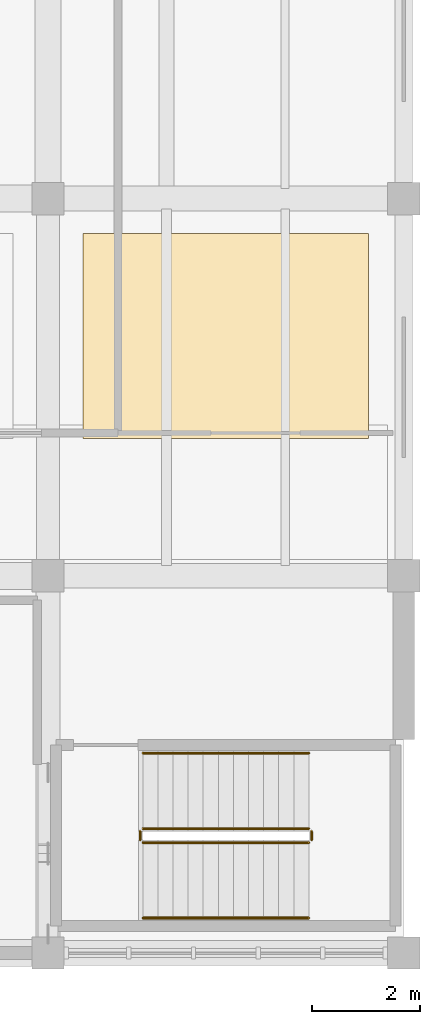
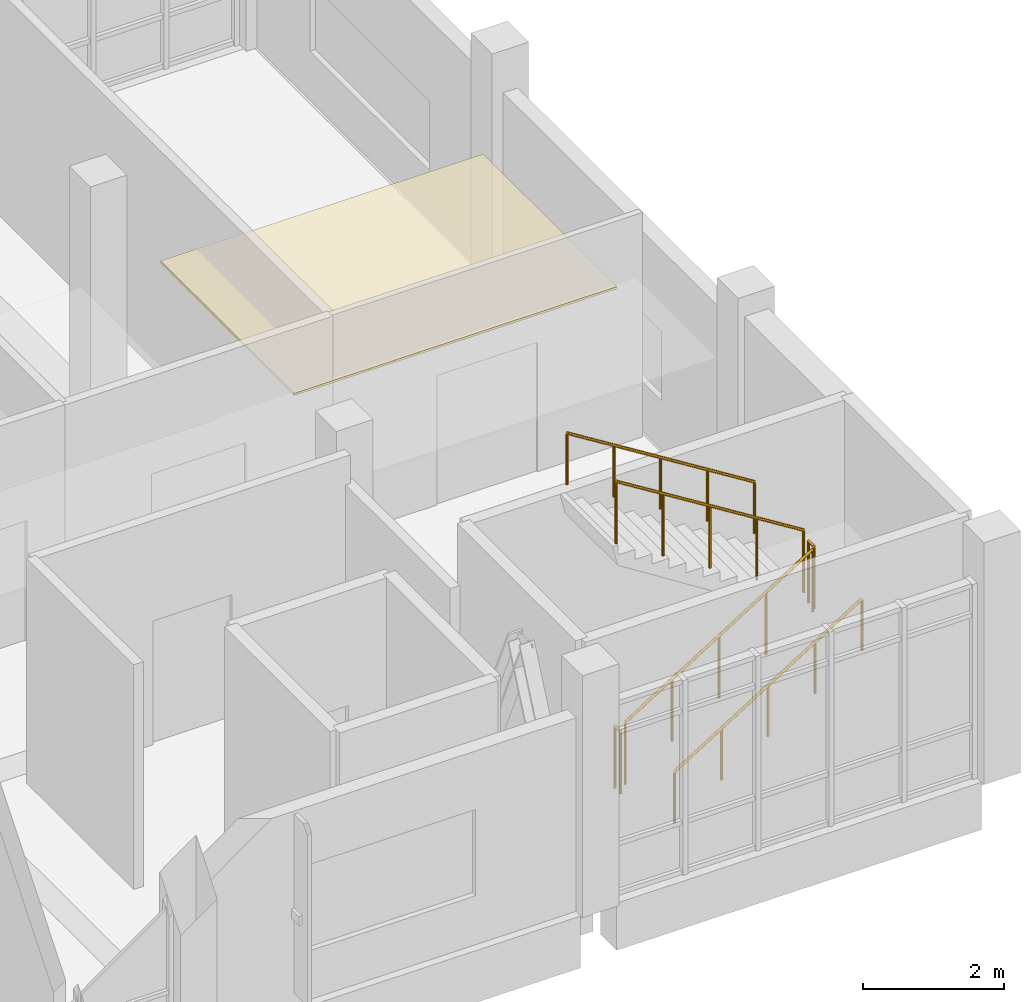
# One storey, part 14 of 14: 6 railings, 1 covering.
"""IFC4 building model written with IfcOpenShell, lengths in metres."""

from ifc_helpers import new_model, si_unit, direction, frame, origin, origin_2d, place, context, subcontext, project, spatial, polyline, circle, outline, extrude, material, layer, layer_set, type_object, element, save


model = new_model("IFC4")

# Units and contexts
model_context = context("Model", 3, precision=1e-05, world=origin(), true_north=direction((0.0, 1.0)))
body_context = subcontext(model_context, "Body", "Model", "MODEL_VIEW")
ifc_project = project(units=[si_unit("LENGTHUNIT", "METRE"), si_unit("AREAUNIT", "SQUARE_METRE"), si_unit("VOLUMEUNIT", "CUBIC_METRE"), si_unit("PLANEANGLEUNIT", "RADIAN"), si_unit("MASSUNIT", "GRAM", prefix="KILO")], contexts=[model_context])

# Site, building, storey
site_placement = place(None, origin())
site = spatial("IfcSite", under=ifc_project, at=site_placement, CompositionType="ELEMENT")
building_placement = place(site_placement, origin())
building = spatial("IfcBuilding", under=site, at=building_placement, Name="Ciguamira Faculty of Natural Sciences", CompositionType="ELEMENT")
storey_placement = place(building_placement, frame((0.0, 0.0, 33.60009765625)))
storey = spatial("IfcBuildingStorey", under=building, at=storey_placement, Name="L08", CompositionType="ELEMENT", Elevation=33.60009765625)

# Covering
ifc_material_1 = material(Name="Perforated white acoustic ceiling")
ifc_layer = layer(ifc_material_1, 0.0400390625, Name="Perforated white acoustic ceiling")
ifc_layer_set = layer_set([ifc_layer], Name="Perforated white acoustic ceiling")
covering_type = type_object("IfcCoveringType", Name="AcousticCeiling_AC01", PredefinedType="CEILING", material=ifc_layer_set)
covering_placement = place(storey_placement, frame((0.0, 0.0, 2.760009765625)))
element("IfcCovering", 1, at=covering_placement, inside=storey, type_object=covering_type, Name="L08 research bay 05 acoustic ceiling", PredefinedType="CEILING", context=body_context, shape_type="SweptSolid", body=[
    extrude(outline(polyline([(97.550048828125, 103.550048828125), (102.85009765625, 103.550048828125), (102.85009765625, 107.35009765625), (97.550048828125, 107.35009765625), (97.550048828125, 103.550048828125)])), origin(), (0.0, 0.0, 1.0), 0.039794921875),
])

# Railings
ifc_material_2 = material(Name="Stainless steel balustrade", Category="steel")
railing_type_1 = type_object("IfcRailingType", Name="Guardrail_GR01", PredefinedType="GUARDRAIL", material=ifc_material_2)
railing_1_placement = place(storey_placement, frame((98.659912109375, 96.050048828125, 0.1748046875)))
element("IfcRailing", 2, at=railing_1_placement, inside=storey, type_object=railing_type_1, Name="L08 ST-T2 stair guard 1", PredefinedType="GUARDRAIL", context=body_context, shape_type="SweptSolid", body=[
    extrude(circle(Radius=0.02392578125, at=origin_2d()), frame((0.0, 0.0, 1.076171875), z_axis=(0.847998304005, 0.0, 0.529998940003), x_axis=(0.0, 1.0, 0.0)), (0.0, 0.0, 1.0), 3.632080078125),
    extrude(circle(Radius=0.02099609375, at=origin_2d()), origin(), (0.0, 0.0, 1.0), 1.052001953125),
    extrude(circle(Radius=0.02099609375, at=origin_2d()), frame((0.77001953125, 0.0, 0.481201171875)), (0.0, 0.0, 1.0), 1.052001953125),
    extrude(circle(Radius=0.02099609375, at=origin_2d()), frame((1.5400390625, 0.0, 0.96240234375)), (0.0, 0.0, 1.0), 1.052001953125),
    extrude(circle(Radius=0.02099609375, at=origin_2d()), frame((2.31005859375, 0.0, 1.44384765625)), (0.0, 0.0, 1.0), 1.052001953125),
    extrude(circle(Radius=0.02099609375, at=origin_2d()), frame((3.080078125, 0.0, 1.925048828125)), (0.0, 0.0, 1.0), 1.052001953125),
])
railing_2_placement = place(storey_placement, frame((101.7900390625, 96.10009765625, 2.099853515625)))
element("IfcRailing", 3, at=railing_2_placement, inside=storey, type_object=railing_type_1, Name="L08 ST-T2 stair guard 2", PredefinedType="GUARDRAIL", context=body_context, shape_type="SweptSolid", body=[
    extrude(circle(Radius=0.02392578125, at=origin_2d()), frame((0.0, 0.0, 1.076171875), z_axis=(0.0, 1.0, 0.0), x_axis=(-1.0, 0.0, 0.0)), (0.0, 0.0, 1.0), 0.159912109375),
    extrude(circle(Radius=0.02099609375, at=origin_2d()), origin(), (0.0, 0.0, 1.0), 1.052001953125),
    extrude(circle(Radius=0.02099609375, at=origin_2d()), frame((0.0, 0.159912109375, 0.0)), (0.0, 0.0, 1.0), 1.052001953125),
])
railing_3_placement = place(storey_placement, frame((101.739990234375, 96.31005859375, 2.27490234375)))
element("IfcRailing", 4, at=railing_3_placement, inside=storey, type_object=railing_type_1, Name="L08 ST-T2 stair guard 3", PredefinedType="GUARDRAIL", context=body_context, shape_type="SweptSolid", body=[
    extrude(circle(Radius=0.02392578125, at=origin_2d()), frame((0.0, 0.0, 1.076171875), z_axis=(-0.847998304005, 0.0, 0.529998940003), x_axis=(0.0, -1.0, 0.0)), (0.0, 0.0, 1.0), 3.632080078125),
    extrude(circle(Radius=0.02099609375, at=origin_2d()), origin(), (0.0, 0.0, 1.0), 1.052001953125),
    extrude(circle(Radius=0.02099609375, at=origin_2d()), frame((-0.77001953125, 0.0, 0.481201171875)), (0.0, 0.0, 1.0), 1.052001953125),
    extrude(circle(Radius=0.02099609375, at=origin_2d()), frame((-1.5400390625, 0.0, 0.96240234375)), (0.0, 0.0, 1.0), 1.052001953125),
    extrude(circle(Radius=0.02099609375, at=origin_2d()), frame((-2.31005859375, 0.0, 1.44384765625)), (0.0, 0.0, 1.0), 1.052001953125),
    extrude(circle(Radius=0.02099609375, at=origin_2d()), frame((-3.080078125, 0.0, 1.925048828125)), (0.0, 0.0, 1.0), 1.052001953125),
])
railing_4_placement = place(storey_placement, frame((98.610107421875, 96.10009765625, 0.0)))
element("IfcRailing", 5, at=railing_4_placement, inside=storey, type_object=railing_type_1, Name="L08 ST-T2 stair guard 4", PredefinedType="GUARDRAIL", context=body_context, shape_type="SweptSolid", body=[
    extrude(circle(Radius=0.02392578125, at=origin_2d()), frame((0.0, 0.0, 1.076171875), z_axis=(0.0, 1.0, 0.0), x_axis=(-1.0, 0.0, 0.0)), (0.0, 0.0, 1.0), 0.159912109375),
    extrude(circle(Radius=0.02099609375, at=origin_2d()), origin(), (0.0, 0.0, 1.0), 1.052001953125),
    extrude(circle(Radius=0.02099609375, at=origin_2d()), frame((0.0, 0.159912109375, 0.0)), (0.0, 0.0, 1.0), 1.052001953125),
])
ifc_material_3 = material(Name="Stainless steel handrail", Category="steel")
railing_type_2 = type_object("IfcRailingType", Name="Handrail_HR01", PredefinedType="HANDRAIL", material=ifc_material_3)
railing_5_placement = place(storey_placement, frame((98.659912109375, 94.64990234375, 0.349853515625)))
element("IfcRailing", 6, at=railing_5_placement, inside=storey, type_object=railing_type_2, Name="L08 ST-T2 stair handrail 1", PredefinedType="HANDRAIL", context=body_context, shape_type="SweptSolid", body=[
    extrude(circle(Radius=0.02392578125, at=origin_2d()), frame((0.0, 0.0, 0.89111328125), z_axis=(0.847998304005, 0.0, 0.529998940003), x_axis=(0.0, 1.0, 0.0)), (0.0, 0.0, 1.0), 3.632080078125),
    extrude(circle(Radius=0.02099609375, at=origin_2d()), origin(), (0.0, 0.0, 1.0), 0.866943359375),
    extrude(circle(Radius=0.02099609375, at=origin_2d()), frame((0.77001953125, 0.0, 0.481201171875)), (0.0, 0.0, 1.0), 0.866943359375),
    extrude(circle(Radius=0.02099609375, at=origin_2d()), frame((1.5400390625, 0.0, 0.96240234375)), (0.0, 0.0, 1.0), 0.866943359375),
    extrude(circle(Radius=0.02099609375, at=origin_2d()), frame((2.31005859375, 0.0, 1.44384765625)), (0.0, 0.0, 1.0), 0.866943359375),
    extrude(circle(Radius=0.02099609375, at=origin_2d()), frame((3.080078125, 0.0, 1.925048828125)), (0.0, 0.0, 1.0), 0.866943359375),
])
railing_6_placement = place(storey_placement, frame((101.739990234375, 97.7099609375, 2.449951171875)))
element("IfcRailing", 7, at=railing_6_placement, inside=storey, type_object=railing_type_2, Name="L08 ST-T2 stair handrail 2", PredefinedType="HANDRAIL", context=body_context, shape_type="SweptSolid", body=[
    extrude(circle(Radius=0.02392578125, at=origin_2d()), frame((0.0, 0.0, 0.89111328125), z_axis=(-0.847998304005, 0.0, 0.529998940003), x_axis=(0.0, -1.0, 0.0)), (0.0, 0.0, 1.0), 3.632080078125),
    extrude(circle(Radius=0.02099609375, at=origin_2d()), origin(), (0.0, 0.0, 1.0), 0.866943359375),
    extrude(circle(Radius=0.02099609375, at=origin_2d()), frame((-0.77001953125, 0.0, 0.481201171875)), (0.0, 0.0, 1.0), 0.866943359375),
    extrude(circle(Radius=0.02099609375, at=origin_2d()), frame((-1.5400390625, 0.0, 0.96240234375)), (0.0, 0.0, 1.0), 0.866943359375),
    extrude(circle(Radius=0.02099609375, at=origin_2d()), frame((-2.31005859375, 0.0, 1.44384765625)), (0.0, 0.0, 1.0), 0.866943359375),
    extrude(circle(Radius=0.02099609375, at=origin_2d()), frame((-3.080078125, 0.0, 1.925048828125)), (0.0, 0.0, 1.0), 0.866943359375),
])

save(model, "model.ifc")
